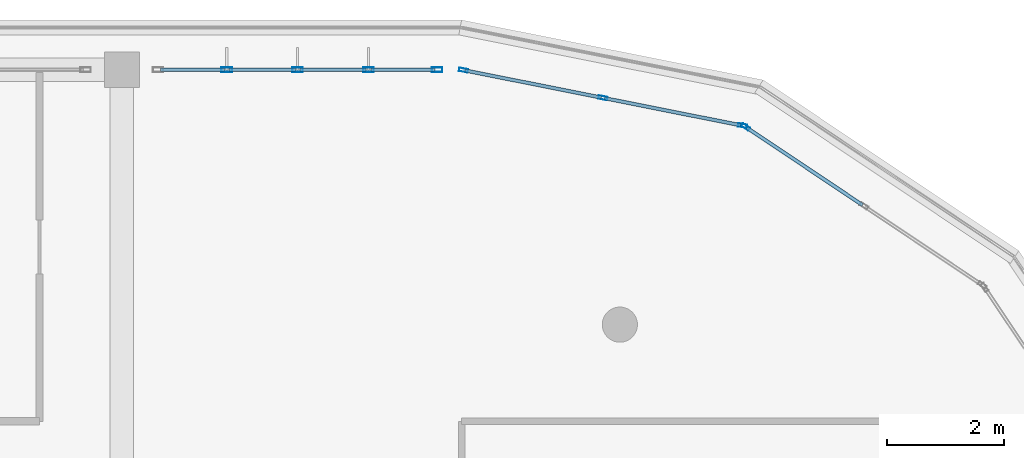
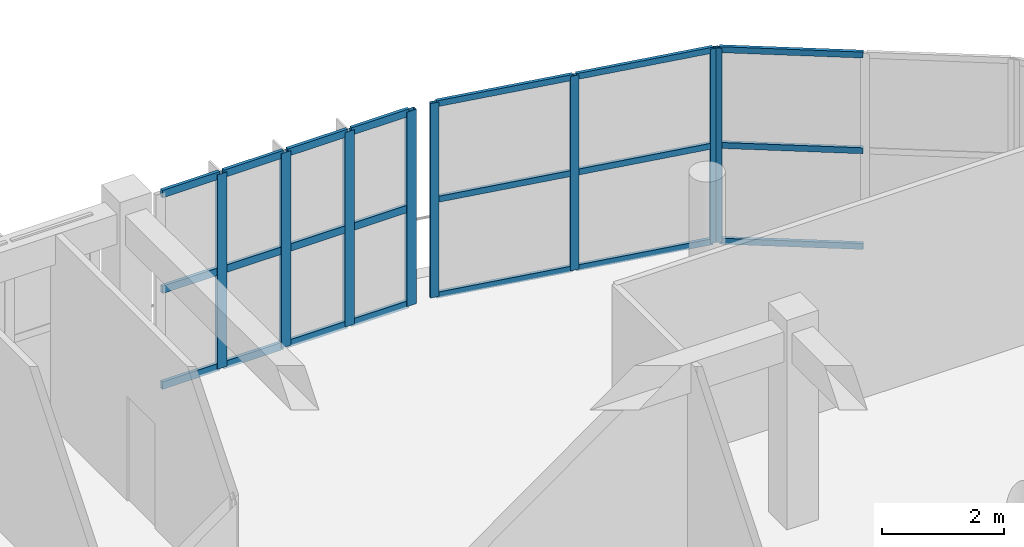
# One storey, part 29 of 50: 29 members, 3 elements without a shape of their own.
"""IFC4 building model written with IfcOpenShell, lengths in metres."""

from ifc_helpers import new_model, si_unit, direction, frame, origin, origin_2d, place, context, subcontext, project, spatial, hollow_rectangle, extrude, material, layer, layer_set, material_profile, profile_set, type_object, element, aggregate, save


model = new_model("IFC4")

# Units and contexts
model_context = context("Model", 3, precision=1e-05, world=origin(), true_north=direction((0.0, 1.0)))
body_context = subcontext(model_context, "Body", "Model", "MODEL_VIEW")
ifc_project = project(units=[si_unit("LENGTHUNIT", "METRE"), si_unit("AREAUNIT", "SQUARE_METRE"), si_unit("VOLUMEUNIT", "CUBIC_METRE"), si_unit("PLANEANGLEUNIT", "RADIAN"), si_unit("MASSUNIT", "GRAM", prefix="KILO")], contexts=[model_context])

# Site, building, storey
site_placement = place(None, origin())
site = spatial("IfcSite", under=ifc_project, at=site_placement, CompositionType="ELEMENT")
building_placement = place(site_placement, origin())
building = spatial("IfcBuilding", under=site, at=building_placement, Name="Zizhar Promenade General Hospital", CompositionType="ELEMENT")
storey_placement = place(building_placement, frame((0.0, 0.0, 30.60009765625)))
storey = spatial("IfcBuildingStorey", under=building, at=storey_placement, Name="L07", CompositionType="ELEMENT", Elevation=30.60009765625)

# Curtain wall, member
ifc_material_1 = material(Name="Anodised aluminium 6063-T6 and low-E glass", Category="aluminium")
ifc_layer_1 = layer(ifc_material_1, 0.159912109375)
ifc_layer_set_1 = layer_set([ifc_layer_1], Name="Anodised aluminium 6063-T6 and low-E glass")
curtain_wall_type_1 = type_object("IfcCurtainWallType", Name="CW-WARD-ARC", PredefinedType="NOTDEFINED", material=ifc_layer_set_1)
curtain_wall_1_placement = place(storey_placement, origin())
curtain_wall_1 = element("IfcCurtainWall", 1, at=curtain_wall_1_placement, inside=storey, type_object=curtain_wall_type_1, Name="Ward Semicircular End Glazing L07-07", PredefinedType="NOTDEFINED")
ifc_material_2 = material(Name="Anodised aluminium 6063-T6", Category="aluminium")
ifc_material_profile_1 = material_profile(ifc_material_2, hollow_rectangle(XDim=0.06005859375, YDim=0.14990234375, WallThickness=0.00390625, at=origin_2d()))
ifc_profile_set_1 = profile_set([ifc_material_profile_1], Name="Anodised aluminium 6063-T6")
member_type_1 = type_object("IfcMemberType", Name="CWM-ALU-150x60", PredefinedType="MULLION", material=ifc_profile_set_1)
member_1_placement = place(storey_placement, frame((112.046630859375, 24.22412109375, 0.0), z_axis=(0.0, 0.0, 1.0), x_axis=(0.555582352095, 0.831461514468, 0.0)))
member_1 = element("IfcMember", 2, at=member_1_placement, type_object=member_type_1, Name="CW-12 mullion 1", PredefinedType="MULLION", context=body_context, shape_type="SweptSolid", body=[
    extrude(hollow_rectangle(XDim=0.06005859375, YDim=0.14990234375, WallThickness=0.00390625, at=origin_2d()), origin(), (0.0, 0.0, 1.0), 3.89990234375),
])

# Curtain wall, members
curtain_wall_2_placement = place(storey_placement, origin())
curtain_wall_2 = element("IfcCurtainWall", 3, at=curtain_wall_2_placement, inside=storey, type_object=curtain_wall_type_1, Name="Ward Semicircular End Glazing L07-08", PredefinedType="NOTDEFINED")
member_2_placement = place(storey_placement, frame((107.2294921875, 25.194091796875, 0.0), z_axis=(0.0, 0.0, 1.0), x_axis=(0.195087259275, 0.980785889615, 0.0)))
member_2 = element("IfcMember", 4, at=member_2_placement, type_object=member_type_1, Name="CW-12 mullion 1", PredefinedType="MULLION", context=body_context, shape_type="SweptSolid", body=[
    extrude(hollow_rectangle(XDim=0.06005859375, YDim=0.14990234375, WallThickness=0.00390625, at=origin_2d()), origin(), (0.0, 0.0, 1.0), 3.89990234375),
])
member_3_placement = place(storey_placement, frame((109.61083984375, 24.720458984375, 0.0), z_axis=(0.0, 0.0, 1.0), x_axis=(0.195087259275, 0.980785889615, 0.0)))
member_3 = element("IfcMember", 5, at=member_3_placement, type_object=member_type_1, Name="CW-12 mullion 2", PredefinedType="MULLION", context=body_context, shape_type="SweptSolid", body=[
    extrude(hollow_rectangle(XDim=0.06005859375, YDim=0.14990234375, WallThickness=0.00390625, at=origin_2d()), origin(), (0.0, 0.0, 1.0), 3.89990234375),
])
member_4_placement = place(storey_placement, frame((111.992431640625, 24.246826171875, 0.0), z_axis=(0.0, 0.0, 1.0), x_axis=(0.195087259275, 0.980785889615, 0.0)))
member_4 = element("IfcMember", 6, at=member_4_placement, type_object=member_type_1, Name="CW-12 mullion 3", PredefinedType="MULLION", context=body_context, shape_type="SweptSolid", body=[
    extrude(hollow_rectangle(XDim=0.06005859375, YDim=0.14990234375, WallThickness=0.00390625, at=origin_2d()), origin(), (0.0, 0.0, 1.0), 3.89990234375),
])

ifc_material_3 = material(Name="Anodised aluminium 6063-T6 and low-E glass", Category="aluminium")
ifc_layer_2 = layer(ifc_material_3, 0.159912109375)
ifc_layer_set_2 = layer_set([ifc_layer_2], Name="Anodised aluminium 6063-T6 and low-E glass")
curtain_wall_type_2 = type_object("IfcCurtainWallType", Name="CW-WARD-RIB", PredefinedType="NOTDEFINED", material=ifc_layer_set_2)
curtain_wall_3_placement = place(storey_placement, origin())
curtain_wall_3 = element("IfcCurtainWall", 7, at=curtain_wall_3_placement, inside=storey, type_object=curtain_wall_type_2, Name="Ward Ribbon Curtain Wall L07-8-8", PredefinedType="NOTDEFINED")
ifc_material_4 = material(Name="Anodised aluminium 6063-T6", Category="aluminium")
ifc_material_profile_2 = material_profile(ifc_material_4, hollow_rectangle(XDim=0.080078125, YDim=0.179931640625, WallThickness=0.0048828125, at=origin_2d()))
ifc_profile_set_2 = profile_set([ifc_material_profile_2], Name="Anodised aluminium 6063-T6")
member_type_2 = type_object("IfcMemberType", Name="CWM-ALU-180x80", PredefinedType="MULLION", material=ifc_profile_set_2)
member_5_placement = place(storey_placement, frame((103.18994140625, 25.199951171875, 0.0), z_axis=(0.0, 0.0, 1.0), x_axis=(0.0, 1.0, 0.0)))
member_5 = element("IfcMember", 8, at=member_5_placement, type_object=member_type_2, Name="CW-13 mullion 2", PredefinedType="MULLION", context=body_context, shape_type="SweptSolid", body=[
    extrude(hollow_rectangle(XDim=0.080078125, YDim=0.179931640625, WallThickness=0.0048828125, at=origin_2d()), origin(), (0.0, 0.0, 1.0), 3.89990234375),
])
member_6_placement = place(storey_placement, frame((104.39990234375, 25.199951171875, 0.0), z_axis=(0.0, 0.0, 1.0), x_axis=(0.0, 1.0, 0.0)))
member_6 = element("IfcMember", 9, at=member_6_placement, type_object=member_type_2, Name="CW-13 mullion 3", PredefinedType="MULLION", context=body_context, shape_type="SweptSolid", body=[
    extrude(hollow_rectangle(XDim=0.080078125, YDim=0.179931640625, WallThickness=0.0048828125, at=origin_2d()), origin(), (0.0, 0.0, 1.0), 3.89990234375),
])
member_7_placement = place(storey_placement, frame((105.610107421875, 25.199951171875, 0.0), z_axis=(0.0, 0.0, 1.0), x_axis=(0.0, 1.0, 0.0)))
member_7 = element("IfcMember", 10, at=member_7_placement, type_object=member_type_2, Name="CW-13 mullion 4", PredefinedType="MULLION", context=body_context, shape_type="SweptSolid", body=[
    extrude(hollow_rectangle(XDim=0.080078125, YDim=0.179931640625, WallThickness=0.0048828125, at=origin_2d()), origin(), (0.0, 0.0, 1.0), 3.89990234375),
])
member_8_placement = place(storey_placement, frame((106.780029296875, 25.199951171875, 0.0), z_axis=(0.0, 0.0, 1.0), x_axis=(0.0, 1.0, 0.0)))
member_8 = element("IfcMember", 11, at=member_8_placement, type_object=member_type_2, Name="CW-13 mullion 5", PredefinedType="MULLION", context=body_context, shape_type="SweptSolid", body=[
    extrude(hollow_rectangle(XDim=0.080078125, YDim=0.179931640625, WallThickness=0.0048828125, at=origin_2d()), origin(), (0.0, 0.0, 1.0), 3.89990234375),
])

# Member
ifc_material_5 = material(Name="Anodised aluminium 6063-T6", Category="aluminium")
ifc_material_profile_3 = material_profile(ifc_material_5, hollow_rectangle(XDim=0.06005859375, YDim=0.1201171875, WallThickness=0.00390625, at=origin_2d()))
ifc_profile_set_3 = profile_set([ifc_material_profile_3], Name="Anodised aluminium 6063-T6")
member_type_3 = type_object("IfcMemberType", Name="CWT-ALU-120x60", PredefinedType="USERDEFINED", material=ifc_profile_set_3)
member_9_placement = place(storey_placement, frame((112.07177734375, 24.20751953125, 0.02978515625), z_axis=(0.831462978956, -0.555580160396, 0.0), x_axis=(0.555580160396, 0.831462978956, 0.0)))
member_9 = element("IfcMember", 12, at=member_9_placement, type_object=member_type_3, Name="CW-12 transom 1.1", ObjectType="TRANSOM", PredefinedType="USERDEFINED", context=body_context, shape_type="SweptSolid", body=[
    extrude(hollow_rectangle(XDim=0.06005859375, YDim=0.1201171875, WallThickness=0.00390625, at=origin_2d()), origin(), (0.0, 0.0, 1.0), 2.3681640625),
])

member_10_placement = place(storey_placement, frame((112.07177734375, 24.20751953125, 1.949951171875), z_axis=(0.831462978956, -0.555580160396, 0.0), x_axis=(0.555580160396, 0.831462978956, 0.0)))
member_10 = element("IfcMember", 13, at=member_10_placement, type_object=member_type_3, Name="CW-12 transom 1.2", ObjectType="TRANSOM", PredefinedType="USERDEFINED", context=body_context, shape_type="SweptSolid", body=[
    extrude(hollow_rectangle(XDim=0.06005859375, YDim=0.1201171875, WallThickness=0.00390625, at=origin_2d()), origin(), (0.0, 0.0, 1.0), 2.3681640625),
])

member_11_placement = place(storey_placement, frame((112.07177734375, 24.20751953125, 3.869873046875), z_axis=(0.831462978956, -0.555580160396, 0.0), x_axis=(0.555580160396, 0.831462978956, 0.0)))
member_11 = element("IfcMember", 14, at=member_11_placement, type_object=member_type_3, Name="CW-12 transom 1.3", ObjectType="TRANSOM", PredefinedType="USERDEFINED", context=body_context, shape_type="SweptSolid", body=[
    extrude(hollow_rectangle(XDim=0.06005859375, YDim=0.1201171875, WallThickness=0.00390625, at=origin_2d()), origin(), (0.0, 0.0, 1.0), 2.3681640625),
])

aggregate(curtain_wall_1, [member_1, member_9, member_10, member_11])

member_12_placement = place(storey_placement, frame((107.2587890625, 25.188232421875, 0.02978515625), z_axis=(0.980794200422, -0.195045472693, 0.0), x_axis=(0.195045472693, 0.980794200422, 0.0)))
member_12 = element("IfcMember", 15, at=member_12_placement, type_object=member_type_3, Name="CW-12 transom 1.1", ObjectType="TRANSOM", PredefinedType="USERDEFINED", context=body_context, shape_type="SweptSolid", body=[
    extrude(hollow_rectangle(XDim=0.06005859375, YDim=0.1201171875, WallThickness=0.00390625, at=origin_2d()), origin(), (0.0, 0.0, 1.0), 2.3681640625),
])

member_13_placement = place(storey_placement, frame((107.2587890625, 25.188232421875, 1.949951171875), z_axis=(0.980794200422, -0.195045472693, 0.0), x_axis=(0.195045472693, 0.980794200422, 0.0)))
member_13 = element("IfcMember", 16, at=member_13_placement, type_object=member_type_3, Name="CW-12 transom 1.2", ObjectType="TRANSOM", PredefinedType="USERDEFINED", context=body_context, shape_type="SweptSolid", body=[
    extrude(hollow_rectangle(XDim=0.06005859375, YDim=0.1201171875, WallThickness=0.00390625, at=origin_2d()), origin(), (0.0, 0.0, 1.0), 2.3681640625),
])

member_14_placement = place(storey_placement, frame((107.2587890625, 25.188232421875, 3.869873046875), z_axis=(0.980794200422, -0.195045472693, 0.0), x_axis=(0.195045472693, 0.980794200422, 0.0)))
member_14 = element("IfcMember", 17, at=member_14_placement, type_object=member_type_3, Name="CW-12 transom 1.3", ObjectType="TRANSOM", PredefinedType="USERDEFINED", context=body_context, shape_type="SweptSolid", body=[
    extrude(hollow_rectangle(XDim=0.06005859375, YDim=0.1201171875, WallThickness=0.00390625, at=origin_2d()), origin(), (0.0, 0.0, 1.0), 2.3681640625),
])

member_15_placement = place(storey_placement, frame((109.640380859375, 24.714599609375, 0.02978515625), z_axis=(0.980790278018, -0.195065195628, 0.0), x_axis=(0.195065195628, 0.980790278018, 0.0)))
member_15 = element("IfcMember", 18, at=member_15_placement, type_object=member_type_3, Name="CW-12 transom 2.1", ObjectType="TRANSOM", PredefinedType="USERDEFINED", context=body_context, shape_type="SweptSolid", body=[
    extrude(hollow_rectangle(XDim=0.06005859375, YDim=0.1201171875, WallThickness=0.00390625, at=origin_2d()), origin(), (0.0, 0.0, 1.0), 2.367919921875),
])

member_16_placement = place(storey_placement, frame((109.640380859375, 24.714599609375, 1.949951171875), z_axis=(0.980790278018, -0.195065195628, 0.0), x_axis=(0.195065195628, 0.980790278018, 0.0)))
member_16 = element("IfcMember", 19, at=member_16_placement, type_object=member_type_3, Name="CW-12 transom 2.2", ObjectType="TRANSOM", PredefinedType="USERDEFINED", context=body_context, shape_type="SweptSolid", body=[
    extrude(hollow_rectangle(XDim=0.06005859375, YDim=0.1201171875, WallThickness=0.00390625, at=origin_2d()), origin(), (0.0, 0.0, 1.0), 2.367919921875),
])

member_17_placement = place(storey_placement, frame((109.640380859375, 24.714599609375, 3.869873046875), z_axis=(0.980790278018, -0.195065195628, 0.0), x_axis=(0.195065195628, 0.980790278018, 0.0)))
member_17 = element("IfcMember", 20, at=member_17_placement, type_object=member_type_3, Name="CW-12 transom 2.3", ObjectType="TRANSOM", PredefinedType="USERDEFINED", context=body_context, shape_type="SweptSolid", body=[
    extrude(hollow_rectangle(XDim=0.06005859375, YDim=0.1201171875, WallThickness=0.00390625, at=origin_2d()), origin(), (0.0, 0.0, 1.0), 2.367919921875),
])

aggregate(curtain_wall_2, [member_2, member_3, member_4, member_12, member_13, member_14, member_15, member_16, member_17])

ifc_material_6 = material(Name="Anodised aluminium 6063-T6", Category="aluminium")
ifc_material_profile_4 = material_profile(ifc_material_6, hollow_rectangle(XDim=0.06005859375, YDim=0.14990234375, WallThickness=0.00390625, at=origin_2d()))
ifc_profile_set_4 = profile_set([ifc_material_profile_4], Name="Anodised aluminium 6063-T6")
member_type_4 = type_object("IfcMemberType", Name="CWT-ALU-150x60", PredefinedType="USERDEFINED", material=ifc_profile_set_4)
member_18_placement = place(storey_placement, frame((102.06005859375, 25.199951171875, 0.02978515625), z_axis=(1.0, 0.0, 0.0), x_axis=(0.0, 1.0, 0.0)))
member_18 = element("IfcMember", 21, at=member_18_placement, type_object=member_type_4, Name="CW-13 transom 1.1", ObjectType="TRANSOM", PredefinedType="USERDEFINED", context=body_context, shape_type="SweptSolid", body=[
    extrude(hollow_rectangle(XDim=0.06005859375, YDim=0.14990234375, WallThickness=0.00390625, at=origin_2d()), origin(), (0.0, 0.0, 1.0), 1.08984375),
])

member_19_placement = place(storey_placement, frame((102.06005859375, 25.199951171875, 1.949951171875), z_axis=(1.0, 0.0, 0.0), x_axis=(0.0, 1.0, 0.0)))
member_19 = element("IfcMember", 22, at=member_19_placement, type_object=member_type_4, Name="CW-13 transom 1.2", ObjectType="TRANSOM", PredefinedType="USERDEFINED", context=body_context, shape_type="SweptSolid", body=[
    extrude(hollow_rectangle(XDim=0.06005859375, YDim=0.14990234375, WallThickness=0.00390625, at=origin_2d()), origin(), (0.0, 0.0, 1.0), 1.08984375),
])

member_20_placement = place(storey_placement, frame((102.06005859375, 25.199951171875, 3.869873046875), z_axis=(1.0, 0.0, 0.0), x_axis=(0.0, 1.0, 0.0)))
member_20 = element("IfcMember", 23, at=member_20_placement, type_object=member_type_4, Name="CW-13 transom 1.3", ObjectType="TRANSOM", PredefinedType="USERDEFINED", context=body_context, shape_type="SweptSolid", body=[
    extrude(hollow_rectangle(XDim=0.06005859375, YDim=0.14990234375, WallThickness=0.00390625, at=origin_2d()), origin(), (0.0, 0.0, 1.0), 1.08984375),
])

member_21_placement = place(storey_placement, frame((103.22998046875, 25.199951171875, 0.02978515625), z_axis=(1.0, 0.0, 0.0), x_axis=(0.0, 1.0, 0.0)))
member_21 = element("IfcMember", 24, at=member_21_placement, type_object=member_type_4, Name="CW-13 transom 2.1", ObjectType="TRANSOM", PredefinedType="USERDEFINED", context=body_context, shape_type="SweptSolid", body=[
    extrude(hollow_rectangle(XDim=0.06005859375, YDim=0.14990234375, WallThickness=0.00390625, at=origin_2d()), origin(), (0.0, 0.0, 1.0), 1.130126953125),
])

member_22_placement = place(storey_placement, frame((103.22998046875, 25.199951171875, 1.949951171875), z_axis=(1.0, 0.0, 0.0), x_axis=(0.0, 1.0, 0.0)))
member_22 = element("IfcMember", 25, at=member_22_placement, type_object=member_type_4, Name="CW-13 transom 2.2", ObjectType="TRANSOM", PredefinedType="USERDEFINED", context=body_context, shape_type="SweptSolid", body=[
    extrude(hollow_rectangle(XDim=0.06005859375, YDim=0.14990234375, WallThickness=0.00390625, at=origin_2d()), origin(), (0.0, 0.0, 1.0), 1.130126953125),
])

member_23_placement = place(storey_placement, frame((103.22998046875, 25.199951171875, 3.869873046875), z_axis=(1.0, 0.0, 0.0), x_axis=(0.0, 1.0, 0.0)))
member_23 = element("IfcMember", 26, at=member_23_placement, type_object=member_type_4, Name="CW-13 transom 2.3", ObjectType="TRANSOM", PredefinedType="USERDEFINED", context=body_context, shape_type="SweptSolid", body=[
    extrude(hollow_rectangle(XDim=0.06005859375, YDim=0.14990234375, WallThickness=0.00390625, at=origin_2d()), origin(), (0.0, 0.0, 1.0), 1.130126953125),
])

member_24_placement = place(storey_placement, frame((104.43994140625, 25.199951171875, 0.02978515625), z_axis=(1.0, 0.0, 0.0), x_axis=(0.0, 1.0, 0.0)))
member_24 = element("IfcMember", 27, at=member_24_placement, type_object=member_type_4, Name="CW-13 transom 3.1", ObjectType="TRANSOM", PredefinedType="USERDEFINED", context=body_context, shape_type="SweptSolid", body=[
    extrude(hollow_rectangle(XDim=0.06005859375, YDim=0.14990234375, WallThickness=0.00390625, at=origin_2d()), origin(), (0.0, 0.0, 1.0), 1.130126953125),
])

member_25_placement = place(storey_placement, frame((104.43994140625, 25.199951171875, 1.949951171875), z_axis=(1.0, 0.0, 0.0), x_axis=(0.0, 1.0, 0.0)))
member_25 = element("IfcMember", 28, at=member_25_placement, type_object=member_type_4, Name="CW-13 transom 3.2", ObjectType="TRANSOM", PredefinedType="USERDEFINED", context=body_context, shape_type="SweptSolid", body=[
    extrude(hollow_rectangle(XDim=0.06005859375, YDim=0.14990234375, WallThickness=0.00390625, at=origin_2d()), origin(), (0.0, 0.0, 1.0), 1.130126953125),
])

member_26_placement = place(storey_placement, frame((104.43994140625, 25.199951171875, 3.869873046875), z_axis=(1.0, 0.0, 0.0), x_axis=(0.0, 1.0, 0.0)))
member_26 = element("IfcMember", 29, at=member_26_placement, type_object=member_type_4, Name="CW-13 transom 3.3", ObjectType="TRANSOM", PredefinedType="USERDEFINED", context=body_context, shape_type="SweptSolid", body=[
    extrude(hollow_rectangle(XDim=0.06005859375, YDim=0.14990234375, WallThickness=0.00390625, at=origin_2d()), origin(), (0.0, 0.0, 1.0), 1.130126953125),
])

member_27_placement = place(storey_placement, frame((105.64990234375, 25.199951171875, 0.02978515625), z_axis=(1.0, 0.0, 0.0), x_axis=(0.0, 1.0, 0.0)))
member_27 = element("IfcMember", 30, at=member_27_placement, type_object=member_type_4, Name="CW-13 transom 4.1", ObjectType="TRANSOM", PredefinedType="USERDEFINED", context=body_context, shape_type="SweptSolid", body=[
    extrude(hollow_rectangle(XDim=0.06005859375, YDim=0.14990234375, WallThickness=0.00390625, at=origin_2d()), origin(), (0.0, 0.0, 1.0), 1.090087890625),
])

member_28_placement = place(storey_placement, frame((105.64990234375, 25.199951171875, 1.949951171875), z_axis=(1.0, 0.0, 0.0), x_axis=(0.0, 1.0, 0.0)))
member_28 = element("IfcMember", 31, at=member_28_placement, type_object=member_type_4, Name="CW-13 transom 4.2", ObjectType="TRANSOM", PredefinedType="USERDEFINED", context=body_context, shape_type="SweptSolid", body=[
    extrude(hollow_rectangle(XDim=0.06005859375, YDim=0.14990234375, WallThickness=0.00390625, at=origin_2d()), origin(), (0.0, 0.0, 1.0), 1.090087890625),
])

member_29_placement = place(storey_placement, frame((105.64990234375, 25.199951171875, 3.869873046875), z_axis=(1.0, 0.0, 0.0), x_axis=(0.0, 1.0, 0.0)))
member_29 = element("IfcMember", 32, at=member_29_placement, type_object=member_type_4, Name="CW-13 transom 4.3", ObjectType="TRANSOM", PredefinedType="USERDEFINED", context=body_context, shape_type="SweptSolid", body=[
    extrude(hollow_rectangle(XDim=0.06005859375, YDim=0.14990234375, WallThickness=0.00390625, at=origin_2d()), origin(), (0.0, 0.0, 1.0), 1.090087890625),
])

aggregate(curtain_wall_3, [member_5, member_6, member_7, member_8, member_18, member_19, member_20, member_21, member_22, member_23, member_24, member_25, member_26, member_27, member_28, member_29])

save(model, "model.ifc")
